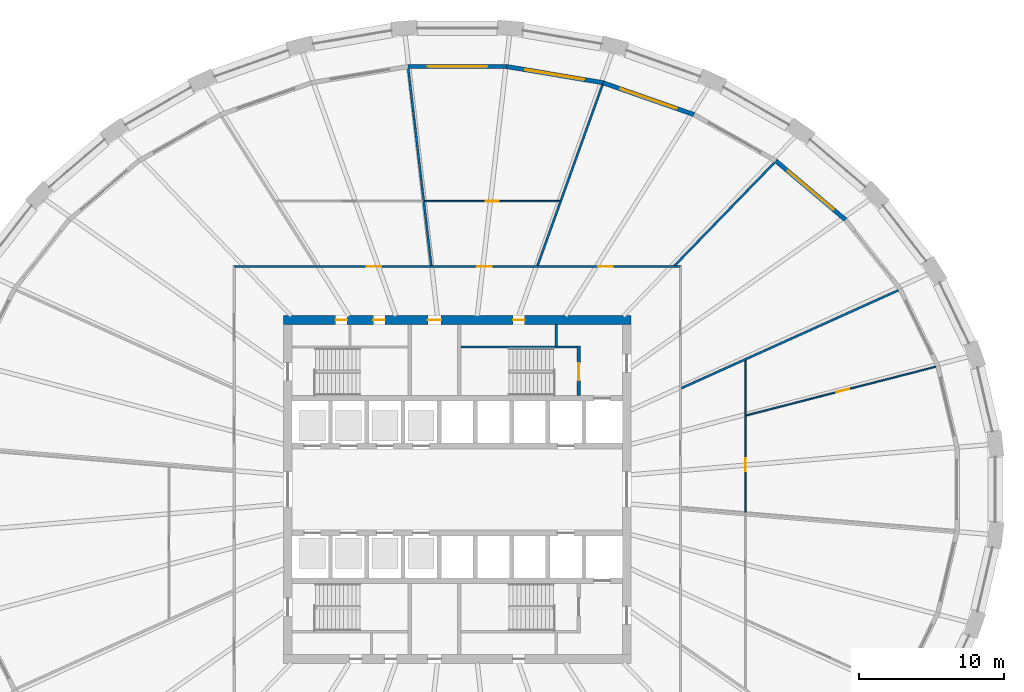
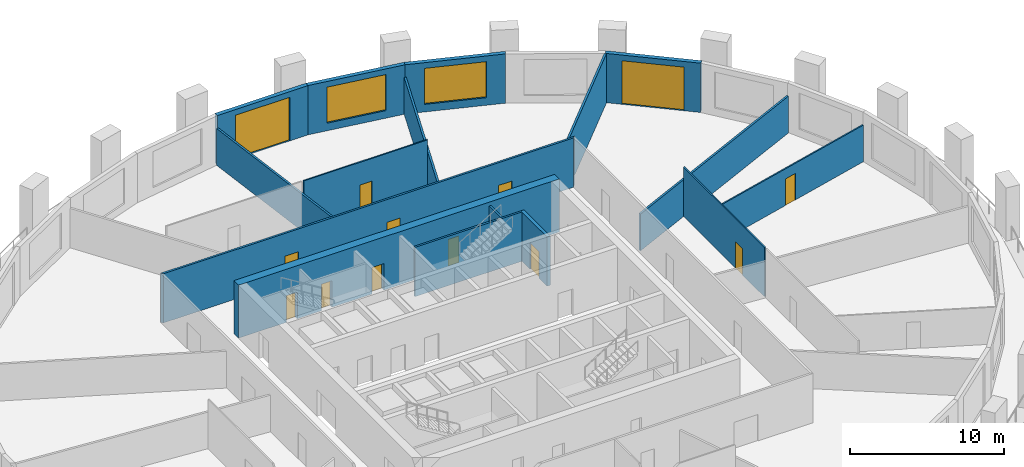
# One storey, part 6 of 10: 16 walls, 13 doors, 2 windows, 15 openings.
"""IFC4 building model written with IfcOpenShell, lengths in metres."""

from ifc_helpers import new_model, si_unit, direction, frame, frame_2d, origin, place, context, subcontext, project, spatial, polyline, rectangle, outline, extrude, material, layer, layer_set, type_object, element, fill, save


model = new_model("IFC4")

# Units and contexts
model_context = context("Model", 3, precision=1e-05, world=origin(), true_north=direction((0.0, 1.0)))
body_context = subcontext(model_context, "Body", "Model", "MODEL_VIEW")
ifc_project = project(units=[si_unit("LENGTHUNIT", "METRE"), si_unit("AREAUNIT", "SQUARE_METRE"), si_unit("VOLUMEUNIT", "CUBIC_METRE"), si_unit("PLANEANGLEUNIT", "RADIAN"), si_unit("MASSUNIT", "GRAM", prefix="KILO")], contexts=[model_context])

# Site, building, storey
site_placement = place(None, origin())
site = spatial("IfcSite", under=ifc_project, at=site_placement, CompositionType="ELEMENT")
building_placement = place(site_placement, origin())
building = spatial("IfcBuilding", under=site, at=building_placement, Name="Halqa Exchange Tower", CompositionType="ELEMENT")
storey_placement = place(building_placement, frame((0.0, 0.0, 52.89990234375)))
storey = spatial("IfcBuildingStorey", under=building, at=storey_placement, Name="L11", CompositionType="ELEMENT", Elevation=52.89990234375)

# Wall, openings, doors
ifc_material_1 = material(Name="Fire-rated gypsum board")
ifc_layer_1 = layer(ifc_material_1, 0.14990234375)
ifc_layer_set_1 = layer_set([ifc_layer_1], Name="Fire-rated gypsum board")
wall_type_1 = type_object("IfcWallType", Name="Fire partition EI 60 150", PredefinedType="PARTITIONING", material=ifc_layer_set_1)
wall_1_placement = place(storey_placement, frame((-15.47509765625, 15.39990234375, 0.0), z_axis=(0.0, 0.0, 1.0), x_axis=(1.0, 0.0, 0.0)))
wall_1 = element("IfcWall", 1, at=wall_1_placement, inside=storey, type_object=wall_type_1, Name="L11-PWL-009", PredefinedType="PARTITIONING", context=body_context, shape_type="SweptSolid", body=[
    extrude(outline(polyline([(0.150146484375, -0.074951171875), (2.065673828125, -0.074951171875), (3.9814453125, -0.074951171875), (5.89697265625, -0.074951171875), (7.8125, -0.074951171875), (9.728271484375, -0.074951171875), (11.643798828125, -0.074951171875), (13.5595703125, -0.074951171875), (15.47509765625, -0.074951171875), (17.390625, -0.074951171875), (19.306396484375, -0.074951171875), (21.221923828125, -0.074951171875), (23.1376953125, -0.074951171875), (25.05322265625, -0.074951171875), (26.96875, -0.074951171875), (28.884521484375, -0.074951171875), (30.800048828125, -0.074951171875), (30.949951171875, 0.074951171875), (29.015625, 0.074951171875), (27.081298828125, 0.074951171875), (25.14697265625, 0.074951171875), (23.21240234375, 0.074951171875), (21.278076171875, 0.074951171875), (19.34375, 0.074951171875), (17.409423828125, 0.074951171875), (15.47509765625, 0.074951171875), (13.540771484375, 0.074951171875), (11.6064453125, 0.074951171875), (9.672119140625, 0.074951171875), (7.73779296875, 0.074951171875), (5.80322265625, 0.074951171875), (3.868896484375, 0.074951171875), (1.9345703125, 0.074951171875), (0.000244140625, 0.074951171875), (0.150146484375, -0.074951171875)])), origin(), (0.0, 0.0, 1.0), 3.900146484375),
])
opening_1_placement = place(wall_1_placement, frame((16.840087890625, 0.0, 0.0)))
opening_1 = element("IfcOpeningElement", 2, at=opening_1_placement, cuts=wall_1, Name="Opening 03-01", PredefinedType="OPENING", context=body_context, shape_type="SweptSolid", body=[
    extrude(rectangle(XDim=1.0, YDim=2.10009765625, at=frame_2d((0.5, 1.050048828125))), frame((0.0, 0.0869140625, 0.0), z_axis=(0.0, -1.0, 0.0), x_axis=(1.0, 0.0, 0.0)), (0.0, 0.0, 1.0), 0.173828125),
])
opening_2_placement = place(wall_1_placement, frame((9.215087890625, 0.0, 0.0)))
opening_2 = element("IfcOpeningElement", 3, at=opening_2_placement, cuts=wall_1, Name="Opening 03-02", PredefinedType="OPENING", context=body_context, shape_type="SweptSolid", body=[
    extrude(rectangle(XDim=1.0, YDim=2.10009765625, at=frame_2d((0.5, 1.050048828125))), frame((0.0, 0.0869140625, 0.0), z_axis=(0.0, -1.0, 0.0), x_axis=(1.0, 0.0, 0.0)), (0.0, 0.0, 1.0), 0.173828125),
])
opening_3_placement = place(wall_1_placement, frame((25.2099609375, 0.0, 0.0)))
opening_3 = element("IfcOpeningElement", 4, at=opening_3_placement, cuts=wall_1, Name="Opening 03-13", PredefinedType="OPENING", context=body_context, shape_type="SweptSolid", body=[
    extrude(rectangle(XDim=1.0, YDim=2.10009765625, at=frame_2d((0.5, 1.050048828125))), frame((0.0, 0.0869140625, 0.0), z_axis=(0.0, -1.0, 0.0), x_axis=(1.0, 0.0, 0.0)), (0.0, 0.0, 1.0), 0.173828125),
])
ifc_material_2 = material(Name="Steel fire door leaf", Category="steel")
door_type_1 = type_object("IfcDoorType", Name="Fire door FD30S 1000 x 2100", OperationType="SINGLE_SWING_LEFT", PredefinedType="DOOR", material=ifc_material_2)
door_1_placement = place(opening_1_placement, origin())
door_1 = element("IfcDoor", 5, at=door_1_placement, inside=storey, type_object=door_type_1, Name="L11-IDR-001", OperationType="SINGLE_SWING_RIGHT", OverallHeight=2.10009765625, OverallWidth=1.0, PredefinedType="DOOR", context=body_context, shape_type="SweptSolid", body=[
    extrude(rectangle(XDim=1.0, YDim=2.10009765625, at=frame_2d((0.5, 1.050048828125))), frame((0.0, 0.02490234375, 0.0), z_axis=(0.0, -1.0, 0.0), x_axis=(1.0, 0.0, 0.0)), (0.0, 0.0, 1.0), 0.050048828125),
])
fill(opening_1, door_1)
door_2_placement = place(opening_2_placement, origin())
door_2 = element("IfcDoor", 6, at=door_2_placement, inside=storey, type_object=door_type_1, Name="L11-IDR-002", OperationType="SINGLE_SWING_RIGHT", OverallHeight=2.10009765625, OverallWidth=1.0, PredefinedType="DOOR", context=body_context, shape_type="SweptSolid", body=[
    extrude(rectangle(XDim=1.0, YDim=2.10009765625, at=frame_2d((0.5, 1.050048828125))), frame((0.0, 0.02490234375, 0.0), z_axis=(0.0, -1.0, 0.0), x_axis=(1.0, 0.0, 0.0)), (0.0, 0.0, 1.0), 0.050048828125),
])
fill(opening_2, door_2)
door_3_placement = place(opening_3_placement, origin())
door_3 = element("IfcDoor", 7, at=door_3_placement, inside=storey, type_object=door_type_1, Name="L11-IDR-013", OperationType="SINGLE_SWING_LEFT", OverallHeight=2.10009765625, OverallWidth=1.0, PredefinedType="DOOR", context=body_context, shape_type="SweptSolid", body=[
    extrude(rectangle(XDim=1.0, YDim=2.10009765625, at=frame_2d((0.5, 1.050048828125))), frame((0.0, 0.02490234375, 0.0), z_axis=(0.0, -1.0, 0.0), x_axis=(1.0, 0.0, 0.0)), (0.0, 0.0, 1.0), 0.050048828125),
])
fill(opening_3, door_3)

# Walls
wall_2_placement = place(storey_placement, frame((-3.385009765625, 29.0400390625, 0.0), z_axis=(0.0, 0.0, 1.0), x_axis=(0.116139488934, -0.993232912821, 0.0)))
element("IfcWall", 8, at=wall_2_placement, inside=storey, type_object=wall_type_1, Name="L11-PWL-012", PredefinedType="PARTITIONING", context=body_context, shape_type="SweptSolid", body=[
    extrude(outline(polyline([(0.0, -0.074951171875), (1.82861328125, -0.074951171875), (3.6572265625, -0.074951171875), (5.48583984375, -0.074951171875), (7.314453125, -0.074951171875), (9.143310546875, -0.074951171875), (9.14453125, -0.0634765625), (9.24267578125, -0.074951171875), (10.71142578125, -0.074951171875), (12.18017578125, -0.074951171875), (13.648681640625, -0.074951171875), (13.666015625, 0.0732421875), (13.666015625, 0.074951171875), (12.19775390625, 0.074951171875), (10.729736328125, 0.074951171875), (9.261474609375, 0.074951171875), (9.261474609375, 0.074951171875), (9.260986328125, 0.074951171875), (7.40966796875, 0.074951171875), (5.558349609375, 0.074951171875), (3.70703125, 0.074951171875), (1.855712890625, 0.074951171875), (0.00439453125, 0.074951171875), (0.0, 0.038330078125), (0.0, -0.074951171875)])), origin(), (0.0, 0.0, 1.0), 2.91015625),
])
wall_3_placement = place(storey_placement, frame((5.537841796875, 15.449951171875, 0.0), z_axis=(0.0, 0.0, 1.0), x_axis=(0.337991057854, 0.941149321208, 0.0)))
element("IfcWall", 9, at=wall_3_placement, inside=storey, type_object=wall_type_1, Name="L11-PWL-016", PredefinedType="PARTITIONING", context=body_context, shape_type="SweptSolid", body=[
    extrude(outline(polyline([(13.259033203125, -0.074951171875), (13.259033203125, -0.040771484375), (13.2587890625, -0.000244140625), (13.2451171875, 0.074951171875), (11.546875, 0.074951171875), (9.8486328125, 0.074951171875), (8.150146484375, 0.074951171875), (6.451904296875, 0.074951171875), (4.753662109375, 0.074951171875), (4.660400390625, 0.04150390625), (4.648193359375, 0.074951171875), (3.098876953125, 0.074951171875), (1.54931640625, 0.074951171875), (0.0, 0.074951171875), (0.0, 0.07421875), (0.053466796875, -0.074951171875), (1.93994140625, -0.074951171875), (3.826416015625, -0.074951171875), (5.713134765625, -0.074951171875), (7.599609375, -0.074951171875), (9.486083984375, -0.074951171875), (11.37255859375, -0.074951171875), (13.259033203125, -0.074951171875)])), origin(), (0.0, 0.0, 1.0), 2.91015625),
])
wall_4_placement = place(storey_placement, frame((14.972412109375, 15.423095703125, 0.0), z_axis=(0.0, 0.0, 1.0), x_axis=(0.696324469813, 0.717727129722, 0.0)))
element("IfcWall", 10, at=wall_4_placement, inside=storey, type_object=wall_type_1, Name="L11-PWL-017", PredefinedType="PARTITIONING", context=body_context, shape_type="SweptSolid", body=[
    extrude(outline(polyline([(0.0, 0.074951171875), (0.0, 0.074462890625), (0.14501953125, -0.074951171875), (2.100830078125, -0.074951171875), (4.056640625, -0.074951171875), (6.012451171875, -0.074951171875), (7.96826171875, -0.074951171875), (9.924072265625, -0.074951171875), (9.924072265625, 0.074951171875), (7.939208984375, 0.074951171875), (5.954345703125, 0.074951171875), (3.9697265625, 0.074951171875), (1.98486328125, 0.074951171875), (0.0, 0.074951171875)])), origin(), (0.0, 0.0, 1.0), 3.900146484375),
])
wall_5_placement = place(storey_placement, frame((15.444091796875, 6.97998046875, 0.0), z_axis=(0.0, 0.0, 1.0), x_axis=(0.911545333682, 0.411199592221, 0.0)))
element("IfcWall", 11, at=wall_5_placement, inside=storey, type_object=wall_type_1, Name="L11-PWL-021", PredefinedType="PARTITIONING", context=body_context, shape_type="SweptSolid", body=[
    extrude(outline(polyline([(0.0, -0.074951171875), (1.599853515625, -0.074951171875), (3.19970703125, -0.074951171875), (4.799560546875, -0.074951171875), (4.800537109375, -0.072998046875), (4.80517578125, -0.074951171875), (6.747314453125, -0.074951171875), (8.689697265625, -0.074951171875), (10.632080078125, -0.074951171875), (12.574462890625, -0.074951171875), (14.516845703125, -0.074951171875), (16.459228515625, -0.074951171875), (16.459228515625, -0.072021484375), (16.45654296875, 0.01171875), (16.44091796875, 0.074951171875), (14.62158203125, 0.074951171875), (12.80224609375, 0.074951171875), (10.983154296875, 0.074951171875), (9.163818359375, 0.074951171875), (7.3447265625, 0.074951171875), (5.525390625, 0.074951171875), (3.706298828125, 0.074951171875), (1.886962890625, 0.074951171875), (0.067626953125, 0.074951171875), (0.0, -0.074951171875)])), origin(), (0.0, 0.0, 1.0), 2.91015625),
])

# Wall, opening, door
ifc_material_3 = material(Name="Gypsum board")
ifc_layer_2 = layer(ifc_material_3, 0.10009765625)
ifc_layer_set_2 = layer_set([ifc_layer_2], Name="Gypsum board")
wall_type_2 = type_object("IfcWallType", Name="Partition 100 gypsum", PredefinedType="PARTITIONING", material=ifc_layer_set_2)
wall_6_placement = place(storey_placement, frame((-2.24658203125, 19.89990234375, 0.0), z_axis=(0.0, 0.0, 1.0), x_axis=(1.0, 0.0, 0.0)))
wall_6 = element("IfcWall", 12, at=wall_6_placement, inside=storey, type_object=wall_type_2, Name="L11-PWL-013", PredefinedType="PARTITIONING", context=body_context, shape_type="SweptSolid", body=[
    extrude(outline(polyline([(0.01171875, -0.050048828125), (1.866455078125, -0.050048828125), (3.720947265625, -0.050048828125), (5.57568359375, -0.050048828125), (7.43017578125, -0.050048828125), (9.284912109375, -0.050048828125), (9.320556640625, 0.04931640625), (9.320556640625, 0.050048828125), (7.45654296875, 0.050048828125), (5.59228515625, 0.050048828125), (3.728271484375, 0.050048828125), (1.864013671875, 0.050048828125), (0.0, 0.050048828125), (0.01171875, -0.050048828125)])), origin(), (0.0, 0.0, 1.0), 3.900146484375),
])
opening_4_placement = place(wall_6_placement, frame((4.20654296875, 0.0, 0.0)))
opening_4 = element("IfcOpeningElement", 13, at=opening_4_placement, cuts=wall_6, Name="Opening 03-14", PredefinedType="OPENING", context=body_context, shape_type="SweptSolid", body=[
    extrude(rectangle(XDim=0.89990234375, YDim=2.10009765625, at=frame_2d((0.449951171875, 1.050048828125))), frame((0.0, 0.06201171875, 0.0), z_axis=(0.0, -1.0, 0.0), x_axis=(1.0, 0.0, 0.0)), (0.0, 0.0, 1.0), 0.1240234375),
])
ifc_material_4 = material(Name="Timber door leaf", Category="wood")
door_type_2 = type_object("IfcDoorType", Name="Door 900 x 2100", OperationType="SINGLE_SWING_LEFT", PredefinedType="DOOR", material=ifc_material_4)
door_4_placement = place(opening_4_placement, frame((0.89990234375, 0.0, 0.0), z_axis=(0.0, 0.0, 1.0), x_axis=(-1.0, 0.0, 0.0)))
door_4 = element("IfcDoor", 14, at=door_4_placement, inside=storey, type_object=door_type_2, Name="L11-IDR-014", OperationType="SINGLE_SWING_LEFT", OverallHeight=2.10009765625, OverallWidth=0.89990234375, PredefinedType="DOOR", context=body_context, shape_type="SweptSolid", body=[
    extrude(rectangle(XDim=0.89990234375, YDim=2.10009765625, at=frame_2d((0.449951171875, 1.050048828125))), frame((0.0, 0.02490234375, 0.0), z_axis=(0.0, -1.0, 0.0), x_axis=(1.0, 0.0, 0.0)), (0.0, 0.0, 1.0), 0.050048828125),
])
fill(opening_4, door_4)

wall_7_placement = place(storey_placement, frame((19.89990234375, -1.5849609375, 0.0), z_axis=(0.0, 0.0, 1.0), x_axis=(0.0, 1.0, 0.0)))
wall_7 = element("IfcWall", 15, at=wall_7_placement, inside=storey, type_object=wall_type_2, Name="L11-PWL-024", PredefinedType="PARTITIONING", context=body_context, shape_type="SweptSolid", body=[
    extrude(outline(polyline([(0.0, -0.050048828125), (1.685546875, -0.050048828125), (3.370849609375, -0.050048828125), (5.056396484375, -0.050048828125), (6.74169921875, -0.050048828125), (6.7490234375, -0.048095703125), (6.74951171875, -0.050048828125), (8.632080078125, -0.050048828125), (10.514892578125, -0.050048828125), (10.514892578125, -0.04931640625), (10.469970703125, 0.050048828125), (8.726318359375, 0.050048828125), (6.982666015625, 0.050048828125), (5.239013671875, 0.050048828125), (3.495361328125, 0.050048828125), (1.751708984375, 0.050048828125), (0.008056640625, 0.050048828125), (0.0, -0.045654296875), (0.0, -0.050048828125)])), origin(), (0.0, 0.0, 1.0), 3.900146484375),
])
opening_5_placement = place(wall_7_placement, frame((2.85498046875, 0.0, 0.0)))
opening_5 = element("IfcOpeningElement", 16, at=opening_5_placement, cuts=wall_7, Name="Opening 03-20", PredefinedType="OPENING", context=body_context, shape_type="SweptSolid", body=[
    extrude(rectangle(XDim=0.89990234375, YDim=2.10009765625, at=frame_2d((0.449951171875, 1.050048828125))), frame((0.0, 0.06201171875, 0.0), z_axis=(0.0, -1.0, 0.0), x_axis=(1.0, 0.0, 0.0)), (0.0, 0.0, 1.0), 0.1240234375),
])
door_5_placement = place(opening_5_placement, origin())
door_5 = element("IfcDoor", 17, at=door_5_placement, inside=storey, type_object=door_type_2, Name="L11-IDR-020", OperationType="SINGLE_SWING_RIGHT", OverallHeight=2.10009765625, OverallWidth=0.89990234375, PredefinedType="DOOR", context=body_context, shape_type="SweptSolid", body=[
    extrude(rectangle(XDim=0.89990234375, YDim=2.10009765625, at=frame_2d((0.449951171875, 1.050048828125))), frame((0.0, 0.02490234375, 0.0), z_axis=(0.0, -1.0, 0.0), x_axis=(1.0, 0.0, 0.0)), (0.0, 0.0, 1.0), 0.050048828125),
])
fill(opening_5, door_5)

wall_8_placement = place(storey_placement, frame((19.937744140625, 5.109619140625, 0.0), z_axis=(0.0, 0.0, 1.0), x_axis=(0.968505877435, 0.248990693348, 0.0)))
wall_8 = element("IfcWall", 18, at=wall_8_placement, inside=storey, type_object=wall_type_2, Name="L11-PWL-025", PredefinedType="PARTITIONING", context=body_context, shape_type="SweptSolid", body=[
    extrude(outline(polyline([(13.515380859375, -0.050048828125), (13.515380859375, 0.00341796875), (13.505615234375, 0.050048828125), (11.580078125, 0.050048828125), (9.654296875, 0.050048828125), (7.728515625, 0.050048828125), (5.802734375, 0.050048828125), (3.876953125, 0.050048828125), (1.951171875, 0.050048828125), (0.025634765625, 0.050048828125), (0.0, -0.04931640625), (0.0, -0.050048828125), (1.9306640625, -0.050048828125), (3.861572265625, -0.050048828125), (5.792236328125, -0.050048828125), (7.72314453125, -0.050048828125), (9.65380859375, -0.050048828125), (11.584716796875, -0.050048828125), (13.515380859375, -0.050048828125)])), origin(), (0.0, 0.0, 1.0), 2.900146484375),
])
opening_6_placement = place(wall_8_placement, frame((6.439208984375, 0.0, 0.0)))
opening_6 = element("IfcOpeningElement", 19, at=opening_6_placement, cuts=wall_8, Name="Opening 03-21", PredefinedType="OPENING", context=body_context, shape_type="SweptSolid", body=[
    extrude(rectangle(XDim=0.89990234375, YDim=2.10009765625, at=frame_2d((0.449951171875, 1.050048828125))), frame((0.0, 0.06201171875, 0.0), z_axis=(0.0, -1.0, 0.0), x_axis=(1.0, 0.0, 0.0)), (0.0, 0.0, 1.0), 0.1240234375),
])
door_6_placement = place(opening_6_placement, origin())
door_6 = element("IfcDoor", 20, at=door_6_placement, inside=storey, type_object=door_type_2, Name="L11-IDR-021", OperationType="SINGLE_SWING_RIGHT", OverallHeight=2.10009765625, OverallWidth=0.89990234375, PredefinedType="DOOR", context=body_context, shape_type="SweptSolid", body=[
    extrude(rectangle(XDim=0.89990234375, YDim=2.10009765625, at=frame_2d((0.449951171875, 1.050048828125))), frame((0.0, 0.02490234375, 0.0), z_axis=(0.0, -1.0, 0.0), x_axis=(1.0, 0.0, 0.0)), (0.0, 0.0, 1.0), 0.050048828125),
])
fill(opening_6, door_6)

# Wall
ifc_layer_3 = layer(ifc_material_3, 0.14990234375)
ifc_layer_set_3 = layer_set([ifc_layer_3], Name="Gypsum board")
wall_type_3 = type_object("IfcWallType", Name="Penthouse riser wall 150 gypsum", PredefinedType="PARTITIONING", material=ifc_layer_set_3)
wall_9_placement = place(storey_placement, frame((6.824951171875, 9.89990234375, 0.0), z_axis=(0.0, 0.0, 1.0), x_axis=(0.0, 1.0, 0.0)))
element("IfcWall", 21, at=wall_9_placement, inside=storey, type_object=wall_type_3, Name="Firefighting lobby west wall N", PredefinedType="PARTITIONING", context=body_context, shape_type="SweptSolid", body=[
    extrude(rectangle(XDim=1.5, YDim=0.14990234375, at=frame_2d((0.75, 0.0))), origin(), (0.0, 0.0, 1.0), 3.900146484375),
])

# Wall, openings, doors
ifc_material_5 = material(Name="Concrete C80/95", Category="concrete")
ifc_layer_4 = layer(ifc_material_5, 0.60009765625)
ifc_layer_set_4 = layer_set([ifc_layer_4], Name="Concrete C80/95")
wall_type_4 = type_object("IfcWallType", Name="RC core wall 600 C80/95", PredefinedType="SHEAR", material=ifc_layer_set_4)
wall_10_placement = place(storey_placement, frame((-12.0, 11.699951171875, 0.0), z_axis=(0.0, 0.0, 1.0), x_axis=(1.0, 0.0, 0.0)))
wall_10 = element("IfcWall", 22, at=wall_10_placement, inside=storey, type_object=wall_type_4, Name="Core wall north", PredefinedType="SHEAR", context=body_context, shape_type="SweptSolid", body=[
    extrude(rectangle(XDim=24.0, YDim=0.60009765625, at=frame_2d((12.0, 0.0))), origin(), (0.0, 0.0, 1.0), 4.2001953125),
])
opening_7_placement = place(wall_10_placement, frame((9.97509765625, 0.0, 0.0)))
opening_7 = element("IfcOpeningElement", 23, at=opening_7_placement, cuts=wall_10, Name="Opening T03-C21", PredefinedType="OPENING", context=body_context, shape_type="SweptSolid", body=[
    extrude(rectangle(XDim=0.89990234375, YDim=2.10009765625, at=frame_2d((0.449951171875, 1.050048828125))), frame((0.0, 0.31201171875, 0.0), z_axis=(0.0, -1.0, 0.0), x_axis=(1.0, 0.0, 0.0)), (0.0, 0.0, 1.0), 0.6240234375),
])
opening_8_placement = place(wall_10_placement, frame((3.60009765625, 0.0, 0.0)))
opening_8 = element("IfcOpeningElement", 24, at=opening_8_placement, cuts=wall_10, Name="Opening T03-C22", PredefinedType="OPENING", context=body_context, shape_type="SweptSolid", body=[
    extrude(rectangle(XDim=0.800048828125, YDim=2.10009765625, at=frame_2d((0.39990234375, 1.050048828125))), frame((0.0, 0.31201171875, 0.0), z_axis=(0.0, -1.0, 0.0), x_axis=(1.0, 0.0, 0.0)), (0.0, 0.0, 1.0), 0.6240234375),
])
opening_9_placement = place(wall_10_placement, frame((6.199951171875, 0.0, 0.0)))
opening_9 = element("IfcOpeningElement", 25, at=opening_9_placement, cuts=wall_10, Name="Opening T03-C23", PredefinedType="OPENING", context=body_context, shape_type="SweptSolid", body=[
    extrude(rectangle(XDim=0.800048828125, YDim=2.10009765625, at=frame_2d((0.39990234375, 1.050048828125))), frame((0.0, 0.31201171875, 0.0), z_axis=(0.0, -1.0, 0.0), x_axis=(1.0, 0.0, 0.0)), (0.0, 0.0, 1.0), 0.6240234375),
])
opening_10_placement = place(wall_10_placement, frame((15.85009765625, 0.0, 0.0)))
opening_10 = element("IfcOpeningElement", 26, at=opening_10_placement, cuts=wall_10, Name="Opening T03-C24", PredefinedType="OPENING", context=body_context, shape_type="SweptSolid", body=[
    extrude(rectangle(XDim=0.800048828125, YDim=2.10009765625, at=frame_2d((0.39990234375, 1.050048828125))), frame((0.0, 0.31201171875, 0.0), z_axis=(0.0, -1.0, 0.0), x_axis=(1.0, 0.0, 0.0)), (0.0, 0.0, 1.0), 0.6240234375),
])
ifc_material_6 = material(Name="Timber fire door leaf", Category="wood")
door_type_3 = type_object("IfcDoorType", Name="Core room door FD30 900 x 2100", OperationType="SINGLE_SWING_LEFT", PredefinedType="DOOR", material=ifc_material_6)
door_7_placement = place(opening_7_placement, frame((0.89990234375, 0.0, 0.0), z_axis=(0.0, 0.0, 1.0), x_axis=(-1.0, 0.0, 0.0)))
door_7 = element("IfcDoor", 27, at=door_7_placement, inside=storey, type_object=door_type_3, Name="Core room door", OperationType="SINGLE_SWING_LEFT", OverallHeight=2.10009765625, OverallWidth=0.89990234375, PredefinedType="DOOR", context=body_context, shape_type="SweptSolid", body=[
    extrude(rectangle(XDim=0.89990234375, YDim=2.10009765625, at=frame_2d((0.449951171875, 1.050048828125))), frame((0.0, 0.02490234375, 0.0), z_axis=(0.0, -1.0, 0.0), x_axis=(1.0, 0.0, 0.0)), (0.0, 0.0, 1.0), 0.050048828125),
])
fill(opening_7, door_7)
door_type_4 = type_object("IfcDoorType", Name="Riser door FD60 800 x 2100", OperationType="SINGLE_SWING_LEFT", PredefinedType="DOOR", material=ifc_material_2)
door_8_placement = place(opening_8_placement, frame((0.800048828125, 0.0, 0.0), z_axis=(0.0, 0.0, 1.0), x_axis=(-1.0, 0.0, 0.0)))
door_8 = element("IfcDoor", 28, at=door_8_placement, inside=storey, type_object=door_type_4, Name="Core room door", OperationType="SINGLE_SWING_RIGHT", OverallHeight=2.10009765625, OverallWidth=0.800048828125, PredefinedType="DOOR", context=body_context, shape_type="SweptSolid", body=[
    extrude(rectangle(XDim=0.800048828125, YDim=2.10009765625, at=frame_2d((0.39990234375, 1.050048828125))), frame((0.0, 0.02490234375, 0.0), z_axis=(0.0, -1.0, 0.0), x_axis=(1.0, 0.0, 0.0)), (0.0, 0.0, 1.0), 0.050048828125),
])
fill(opening_8, door_8)
door_9_placement = place(opening_9_placement, frame((0.800048828125, 0.0, 0.0), z_axis=(0.0, 0.0, 1.0), x_axis=(-1.0, 0.0, 0.0)))
door_9 = element("IfcDoor", 29, at=door_9_placement, inside=storey, type_object=door_type_4, Name="Core room door", OperationType="SINGLE_SWING_LEFT", OverallHeight=2.10009765625, OverallWidth=0.800048828125, PredefinedType="DOOR", context=body_context, shape_type="SweptSolid", body=[
    extrude(rectangle(XDim=0.800048828125, YDim=2.10009765625, at=frame_2d((0.39990234375, 1.050048828125))), frame((0.0, 0.02490234375, 0.0), z_axis=(0.0, -1.0, 0.0), x_axis=(1.0, 0.0, 0.0)), (0.0, 0.0, 1.0), 0.050048828125),
])
fill(opening_9, door_9)
door_10_placement = place(opening_10_placement, frame((0.800048828125, 0.0, 0.0), z_axis=(0.0, 0.0, 1.0), x_axis=(-1.0, 0.0, 0.0)))
door_10 = element("IfcDoor", 30, at=door_10_placement, inside=storey, type_object=door_type_4, Name="Core room door", OperationType="SINGLE_SWING_RIGHT", OverallHeight=2.10009765625, OverallWidth=0.800048828125, PredefinedType="DOOR", context=body_context, shape_type="SweptSolid", body=[
    extrude(rectangle(XDim=0.800048828125, YDim=2.10009765625, at=frame_2d((0.39990234375, 1.050048828125))), frame((0.0, 0.02490234375, 0.0), z_axis=(0.0, -1.0, 0.0), x_axis=(1.0, 0.0, 0.0)), (0.0, 0.0, 1.0), 0.050048828125),
])
fill(opening_10, door_10)

# Wall
ifc_material_7 = material(Name="Concrete C30/37", Category="concrete")
ifc_layer_5 = layer(ifc_material_7, 0.14990234375)
ifc_layer_set_5 = layer_set([ifc_layer_5], Name="Concrete C30/37")
wall_type_5 = type_object("IfcWallType", Name="RC stair wall 150 C30/37", PredefinedType="SHEAR", material=ifc_layer_set_5)
wall_11_placement = place(storey_placement, frame((0.25, 9.824951171875, 0.0), z_axis=(0.0, 0.0, 1.0), x_axis=(1.0, 0.0, 0.0)))
element("IfcWall", 31, at=wall_11_placement, inside=storey, type_object=wall_type_5, Name="Stair ST2 north wall N", PredefinedType="SHEAR", context=body_context, shape_type="SweptSolid", body=[
    extrude(rectangle(XDim=8.0, YDim=0.14990234375, at=frame_2d((4.0, 0.0))), origin(), (0.0, 0.0, 1.0), 3.900146484375),
])

# Wall, opening, door
ifc_layer_6 = layer(ifc_material_7, 0.25)
ifc_layer_set_6 = layer_set([ifc_layer_6], Name="Concrete C30/37")
wall_type_6 = type_object("IfcWallType", Name="RC stair wall 250 C30/37", PredefinedType="SHEAR", material=ifc_layer_set_6)
wall_12_placement = place(storey_placement, frame((8.375, 6.5, 0.0), z_axis=(0.0, 0.0, 1.0), x_axis=(0.0, 1.0, 0.0)))
wall_12 = element("IfcWall", 32, at=wall_12_placement, inside=storey, type_object=wall_type_6, Name="Stair ST2 east wall N", PredefinedType="SHEAR", context=body_context, shape_type="SweptSolid", body=[
    extrude(rectangle(XDim=3.39990234375, YDim=0.25, at=frame_2d((1.699951171875, 0.0))), origin(), (0.0, 0.0, 1.0), 3.900146484375),
])
opening_11_placement = place(wall_12_placement, frame((1.02490234375, 0.0, 0.0)))
opening_11 = element("IfcOpeningElement", 33, at=opening_11_placement, cuts=wall_12, Name="Opening T03-C16", PredefinedType="OPENING", context=body_context, shape_type="SweptSolid", body=[
    extrude(rectangle(XDim=1.199951171875, YDim=2.10009765625, at=frame_2d((0.60009765625, 1.050048828125))), frame((0.0, 0.136962890625, 0.0), z_axis=(0.0, -1.0, 0.0), x_axis=(1.0, 0.0, 0.0)), (0.0, 0.0, 1.0), 0.27392578125),
])
door_type_5 = type_object("IfcDoorType", Name="Stair door FD90 1200 x 2100", OperationType="SINGLE_SWING_LEFT", PredefinedType="DOOR", material=ifc_material_2)
door_11_placement = place(opening_11_placement, origin())
door_11 = element("IfcDoor", 34, at=door_11_placement, inside=storey, type_object=door_type_5, Name="Stair door ST2", OperationType="SINGLE_SWING_RIGHT", OverallHeight=2.10009765625, OverallWidth=1.199951171875, PredefinedType="DOOR", context=body_context, shape_type="SweptSolid", body=[
    extrude(rectangle(XDim=1.199951171875, YDim=2.10009765625, at=frame_2d((0.60009765625, 1.050048828125))), frame((0.0, 0.02490234375, 0.0), z_axis=(0.0, -1.0, 0.0), x_axis=(1.0, 0.0, 0.0)), (0.0, 0.0, 1.0), 0.050048828125),
])
fill(opening_11, door_11)

ifc_material_8 = material(Name="Limestone cladding", Category="masonry")
ifc_layer_7 = layer(ifc_material_8, 0.0400390625)
ifc_material_9 = material(Name="Ventilated cavity")
ifc_layer_8 = layer(ifc_material_9, 0.030029296875, ventilated=True)
ifc_material_10 = material(Name="Mineral wool insulation")
ifc_layer_9 = layer(ifc_material_10, 0.10009765625)
ifc_layer_10 = layer(ifc_material_7, 0.10009765625)
ifc_material_11 = material(Name="Internal plaster")
ifc_layer_11 = layer(ifc_material_11, 0.030029296875)
ifc_layer_set_7 = layer_set([ifc_layer_7, ifc_layer_8, ifc_layer_9, ifc_layer_10, ifc_layer_11], Name="Stone-faced insulated wall 300")
wall_type_7 = type_object("IfcWallType", Name="Stone-faced insulated wall 300", PredefinedType="STANDARD", material=ifc_layer_set_7)
wall_13_placement = place(storey_placement, frame((26.78955078125, 18.61962890625, 0.0), z_axis=(0.0, 0.0, 1.0), x_axis=(-0.763614259808, 0.645672720671, 0.0)))
wall_13 = element("IfcWall", 35, at=wall_13_placement, inside=storey, type_object=wall_type_7, Name="Glass-line wall 4", PredefinedType="STANDARD", context=body_context, shape_type="SweptSolid", body=[
    extrude(outline(polyline([(-0.01513671875, -0.14990234375), (6.30908203125, -0.14990234375), (6.28076171875, 0.14990234375), (0.01513671875, 0.14990234375), (-0.01513671875, -0.14990234375)])), origin(), (0.0, 0.0, 1.0), 3.900146484375),
])
opening_12_placement = place(wall_13_placement, frame((1.097412109375, 0.0, 0.0)))
opening_12 = element("IfcOpeningElement", 36, at=opening_12_placement, cuts=wall_13, Name="Opening LG-F1-01", PredefinedType="OPENING", context=body_context, shape_type="SweptSolid", body=[
    extrude(rectangle(XDim=4.10009765625, YDim=3.449951171875, at=frame_2d((2.050048828125, 1.72509765625))), frame((0.0, 0.162109375, 0.0), z_axis=(0.0, -1.0, 0.0), x_axis=(1.0, 0.0, 0.0)), (0.0, 0.0, 1.0), 0.323974609375),
])
ifc_material_12 = material(Name="Clear low-emissivity glass in aluminium frame", Category="aluminium")
door_type_6 = type_object("IfcDoorType", Name="Glazed sliding loggia door 4100 x 3450", OperationType="DOUBLE_DOOR_SLIDING", PredefinedType="DOOR", material=ifc_material_12)
door_12_placement = place(opening_12_placement, origin())
door_12 = element("IfcDoor", 37, at=door_12_placement, inside=storey, type_object=door_type_6, Name="Loggia door 1", OperationType="DOUBLE_DOOR_SLIDING", OverallHeight=3.449951171875, OverallWidth=4.10009765625, PredefinedType="DOOR", context=body_context, shape_type="SweptSolid", body=[
    extrude(rectangle(XDim=4.10009765625, YDim=3.449951171875, at=frame_2d((2.050048828125, 1.72509765625))), frame((0.0, 0.02490234375, 0.0), z_axis=(0.0, -1.0, 0.0), x_axis=(1.0, 0.0, 0.0)), (0.0, 0.0, 1.0), 0.050048828125),
])
fill(opening_12, door_12)

# Wall, opening, window
wall_14_placement = place(storey_placement, frame((16.332763671875, 25.876220703125, 0.0), z_axis=(0.0, 0.0, 1.0), x_axis=(-0.943790794479, 0.330543395421, 0.0)))
wall_14 = element("IfcWall", 38, at=wall_14_placement, inside=storey, type_object=wall_type_7, Name="Glass-line wall 6", PredefinedType="STANDARD", context=body_context, shape_type="SweptSolid", body=[
    extrude(outline(polyline([(-0.013427734375, -0.14990234375), (6.662353515625, -0.14990234375), (6.636962890625, 0.14990234375), (0.013427734375, 0.14990234375), (-0.013427734375, -0.14990234375)])), origin(), (0.0, 0.0, 1.0), 3.900146484375),
])
opening_13_placement = place(wall_14_placement, frame((1.27490234375, 0.0, 0.60009765625)))
opening_13 = element("IfcOpeningElement", 39, at=opening_13_placement, cuts=wall_14, Name="Opening W-F1-06", PredefinedType="OPENING", context=body_context, shape_type="SweptSolid", body=[
    extrude(rectangle(XDim=4.10009765625, YDim=2.85009765625, at=frame_2d((2.050048828125, 1.425048828125))), frame((0.0, 0.162109375, 0.0), z_axis=(0.0, -1.0, 0.0), x_axis=(1.0, 0.0, 0.0)), (0.0, 0.0, 1.0), 0.323974609375),
])
window_type = type_object("IfcWindowType", Name="Fixed clear glazed window 4100 x 2850", PartitioningType="TRIPLE_PANEL_VERTICAL", PredefinedType="WINDOW", material=ifc_material_12)
window_1_placement = place(opening_13_placement, origin())
window_1 = element("IfcWindow", 40, at=window_1_placement, inside=storey, type_object=window_type, Name="Window 1", OverallHeight=2.85009765625, OverallWidth=4.10009765625, PartitioningType="TRIPLE_PANEL_VERTICAL", PredefinedType="WINDOW", context=body_context, shape_type="SweptSolid", body=[
    extrude(rectangle(XDim=4.10009765625, YDim=2.85009765625, at=frame_2d((2.050048828125, 1.425048828125))), frame((0.0, 0.030029296875, 0.0), z_axis=(0.0, -1.0, 0.0), x_axis=(1.0, 0.0, 0.0)), (0.0, 0.0, 1.0), 0.06005859375),
])
fill(opening_13, window_1)

wall_15_placement = place(storey_placement, frame((10.056884765625, 28.07421875, 0.0), z_axis=(0.0, 0.0, 1.0), x_axis=(-0.986149614624, 0.165858185139, 0.0)))
wall_15 = element("IfcWall", 41, at=wall_15_placement, inside=storey, type_object=wall_type_7, Name="Glass-line wall 7", PredefinedType="STANDARD", context=body_context, shape_type="SweptSolid", body=[
    extrude(outline(polyline([(-0.0126953125, -0.14990234375), (6.767333984375, -0.14990234375), (6.742431640625, 0.14990234375), (0.0126953125, 0.14990234375), (-0.0126953125, -0.14990234375)])), origin(), (0.0, 0.0, 1.0), 3.900146484375),
])
opening_14_placement = place(wall_15_placement, frame((1.327392578125, 0.0, 0.60009765625)))
opening_14 = element("IfcOpeningElement", 42, at=opening_14_placement, cuts=wall_15, Name="Opening W-F1-07", PredefinedType="OPENING", context=body_context, shape_type="SweptSolid", body=[
    extrude(rectangle(XDim=4.10009765625, YDim=2.85009765625, at=frame_2d((2.050048828125, 1.425048828125))), frame((0.0, 0.162109375, 0.0), z_axis=(0.0, -1.0, 0.0), x_axis=(1.0, 0.0, 0.0)), (0.0, 0.0, 1.0), 0.323974609375),
])
window_2_placement = place(opening_14_placement, origin())
window_2 = element("IfcWindow", 43, at=window_2_placement, inside=storey, type_object=window_type, Name="Window 1", OverallHeight=2.85009765625, OverallWidth=4.10009765625, PartitioningType="TRIPLE_PANEL_VERTICAL", PredefinedType="WINDOW", context=body_context, shape_type="SweptSolid", body=[
    extrude(rectangle(XDim=4.10009765625, YDim=2.85009765625, at=frame_2d((2.050048828125, 1.425048828125))), frame((0.0, 0.030029296875, 0.0), z_axis=(0.0, -1.0, 0.0), x_axis=(1.0, 0.0, 0.0)), (0.0, 0.0, 1.0), 0.06005859375),
])
fill(opening_14, window_2)

# Wall, opening, door
wall_16_placement = place(storey_placement, frame((3.3955078125, 29.194580078125, 0.0), z_axis=(0.0, 0.0, 1.0), x_axis=(-1.0, 0.0, 0.0)))
wall_16 = element("IfcWall", 44, at=wall_16_placement, inside=storey, type_object=wall_type_7, Name="Glass-line wall 8", PredefinedType="STANDARD", context=body_context, shape_type="SweptSolid", body=[
    extrude(outline(polyline([(-0.012451171875, -0.14990234375), (6.803466796875, -0.14990234375), (6.778564453125, 0.14990234375), (0.012451171875, 0.14990234375), (-0.012451171875, -0.14990234375)])), origin(), (0.0, 0.0, 1.0), 3.900146484375),
])
opening_15_placement = place(wall_16_placement, frame((1.345703125, 0.0, 0.0)))
opening_15 = element("IfcOpeningElement", 45, at=opening_15_placement, cuts=wall_16, Name="Opening LG-F1-02", PredefinedType="OPENING", context=body_context, shape_type="SweptSolid", body=[
    extrude(rectangle(XDim=4.10009765625, YDim=3.449951171875, at=frame_2d((2.050048828125, 1.72509765625))), frame((0.0, 0.162109375, 0.0), z_axis=(0.0, -1.0, 0.0), x_axis=(1.0, 0.0, 0.0)), (0.0, 0.0, 1.0), 0.323974609375),
])
door_13_placement = place(opening_15_placement, origin())
door_13 = element("IfcDoor", 46, at=door_13_placement, inside=storey, type_object=door_type_6, Name="Loggia door 2", OperationType="DOUBLE_DOOR_SLIDING", OverallHeight=3.449951171875, OverallWidth=4.10009765625, PredefinedType="DOOR", context=body_context, shape_type="SweptSolid", body=[
    extrude(rectangle(XDim=4.10009765625, YDim=3.449951171875, at=frame_2d((2.050048828125, 1.72509765625))), frame((0.0, 0.02490234375, 0.0), z_axis=(0.0, -1.0, 0.0), x_axis=(1.0, 0.0, 0.0)), (0.0, 0.0, 1.0), 0.050048828125),
])
fill(opening_15, door_13)

save(model, "model.ifc")
